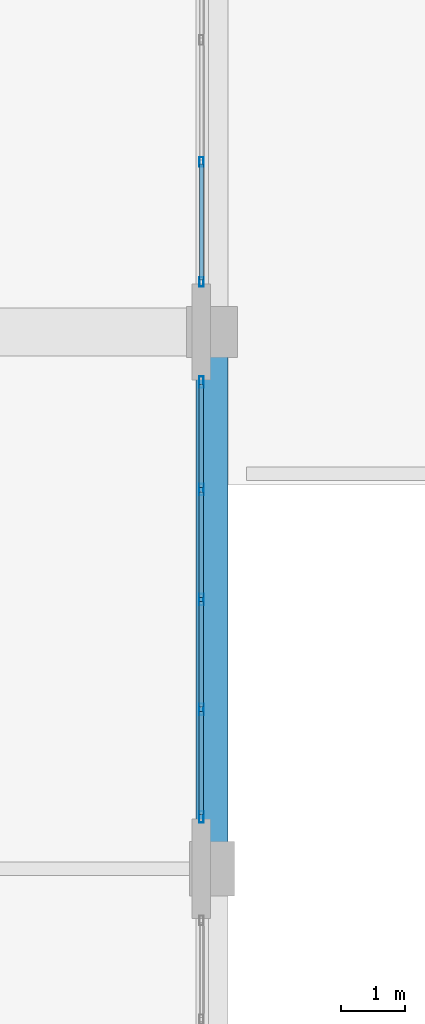
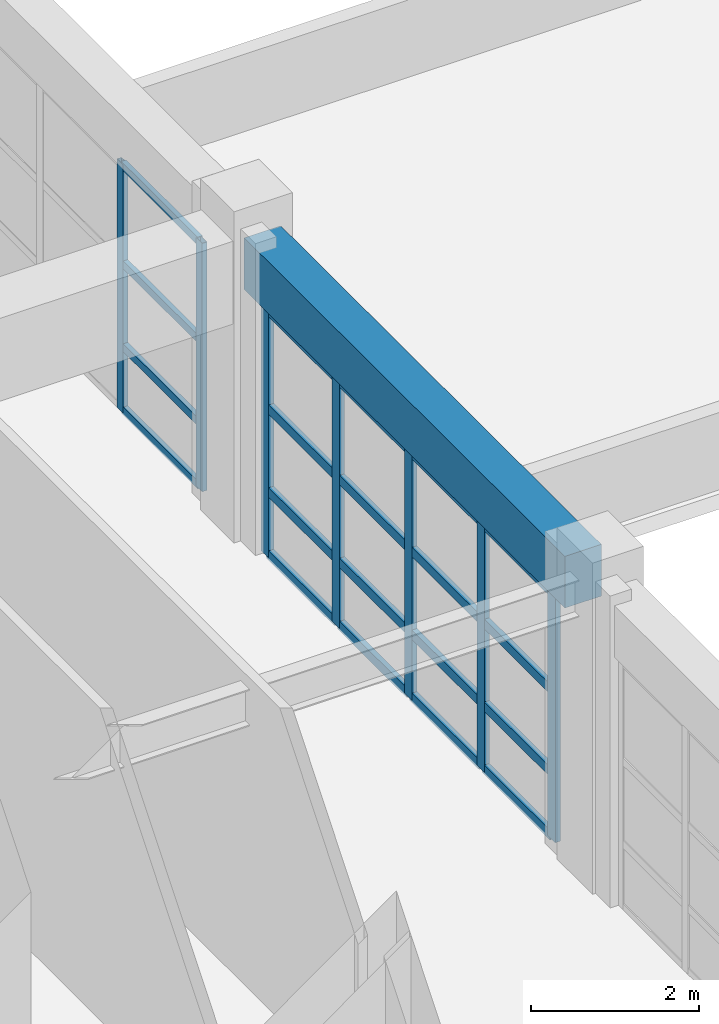
# One storey, part 27 of 123: 27 members, 1 beam, 2 elements without a shape of their own.
"""IFC4 building model written with IfcOpenShell, lengths in metres."""

from ifc_helpers import new_model, si_unit, direction, frame, origin, origin_2d, place, context, subcontext, project, spatial, rectangle, hollow_rectangle, extrude, material, layer, layer_set, material_profile, profile_set, type_object, element, aggregate, save


model = new_model("IFC4")

# Units and contexts
model_context = context("Model", 3, precision=1e-05, world=origin(), true_north=direction((0.0, 1.0)))
body_context = subcontext(model_context, "Body", "Model", "MODEL_VIEW")
ifc_project = project(units=[si_unit("LENGTHUNIT", "METRE"), si_unit("AREAUNIT", "SQUARE_METRE"), si_unit("VOLUMEUNIT", "CUBIC_METRE"), si_unit("PLANEANGLEUNIT", "RADIAN"), si_unit("MASSUNIT", "GRAM", prefix="KILO")], contexts=[model_context])

# Site, building, storey
site_placement = place(None, origin())
site = spatial("IfcSite", under=ifc_project, at=site_placement, CompositionType="ELEMENT")
building_placement = place(site_placement, origin())
building = spatial("IfcBuilding", under=site, at=building_placement, Name="Quendrovan Civic Courthouse", CompositionType="ELEMENT")
storey_placement = place(building_placement, frame((0.0, 0.0, 5.39990234375)))
storey = spatial("IfcBuildingStorey", under=building, at=storey_placement, Name="L02", CompositionType="ELEMENT", Elevation=5.39990234375)

# Beam
ifc_material_1 = material(Name="Concrete C40/50", Category="concrete")
ifc_material_profile_1 = material_profile(ifc_material_1, rectangle(XDim=0.5, YDim=0.75, at=origin_2d()), Name="RC-BM-500x750")
ifc_profile_set_1 = profile_set([ifc_material_profile_1], Name="Concrete C40/50")
beam_type = type_object("IfcBeamType", Name="BM-RC750", PredefinedType="SPANDREL", material=ifc_profile_set_1)
beam_placement = place(storey_placement, frame((16.800048828125, 65.205078125, 3.985107421875), z_axis=(0.0, 1.0, 0.0), x_axis=(-1.0, 0.0, 0.0)))
element("IfcBeam", 1, at=beam_placement, inside=storey, type_object=beam_type, Name="L02 Girder Y0630", PredefinedType="SPANDREL", context=body_context, shape_type="SweptSolid", body=[
    extrude(rectangle(XDim=0.5, YDim=0.75, at=origin_2d()), origin(), (0.0, 0.0, 1.0), 7.614990234375),
])

# Curtain wall, members
ifc_material_2 = material(Name="Bronze anodised aluminium and low-E glass", Category="aluminium")
ifc_layer_1 = layer(ifc_material_2, 0.179931640625, Name="Bronze anodised aluminium and low-E glass")
ifc_layer_set_1 = layer_set([ifc_layer_1], Name="Bronze anodised aluminium and low-E glass")
curtain_wall_type_1 = type_object("IfcCurtainWallType", Name="CW-U69x36", PredefinedType="USERDEFINED", material=ifc_layer_set_1)
curtain_wall_1_placement = place(storey_placement, origin())
curtain_wall_1 = element("IfcCurtainWall", 2, at=curtain_wall_1_placement, inside=storey, type_object=curtain_wall_type_1, Name="L02 Unitised Hurricane Curtain Wall CW-072", ObjectType="UNITISED CURTAIN WALL", PredefinedType="USERDEFINED")
ifc_material_3 = material(Name="Bronze anodised aluminium", Category="aluminium")
ifc_material_profile_2 = material_profile(ifc_material_3, hollow_rectangle(XDim=0.070068359375, YDim=0.179931640625, WallThickness=0.00390625, at=origin_2d()), Name="CW-MULL-70x180")
ifc_profile_set_2 = profile_set([ifc_material_profile_2], Name="Bronze anodised aluminium")
member_type_1 = type_object("IfcMemberType", Name="CW-MULL-A", PredefinedType="MULLION", material=ifc_profile_set_2)
member_1_placement = place(storey_placement, frame((16.635009765625, 72.4150390625, 0.0), z_axis=(0.0, 0.0, 1.0), x_axis=(1.0, 0.0, 0.0)))
member_1 = element("IfcMember", 3, at=member_1_placement, type_object=member_type_1, Name="CW-072 mullion 1", PredefinedType="MULLION", context=body_context, shape_type="SweptSolid", body=[
    extrude(hollow_rectangle(XDim=0.070068359375, YDim=0.179931640625, WallThickness=0.00390625, at=origin_2d()), origin(), (0.0, 0.0, 1.0), 3.60009765625),
])
member_2_placement = place(storey_placement, frame((16.635009765625, 70.731201171875, 0.0), z_axis=(0.0, 0.0, 1.0), x_axis=(1.0, 0.0, 0.0)))
member_2 = element("IfcMember", 4, at=member_2_placement, type_object=member_type_1, Name="CW-072 mullion 2", PredefinedType="MULLION", context=body_context, shape_type="SweptSolid", body=[
    extrude(hollow_rectangle(XDim=0.070068359375, YDim=0.179931640625, WallThickness=0.00390625, at=origin_2d()), origin(), (0.0, 0.0, 1.0), 3.60009765625),
])
member_3_placement = place(storey_placement, frame((16.635009765625, 69.012451171875, 0.0), z_axis=(0.0, 0.0, 1.0), x_axis=(1.0, 0.0, 0.0)))
member_3 = element("IfcMember", 5, at=member_3_placement, type_object=member_type_1, Name="CW-072 mullion 3", PredefinedType="MULLION", context=body_context, shape_type="SweptSolid", body=[
    extrude(hollow_rectangle(XDim=0.070068359375, YDim=0.179931640625, WallThickness=0.00390625, at=origin_2d()), origin(), (0.0, 0.0, 1.0), 3.60009765625),
])
member_4_placement = place(storey_placement, frame((16.635009765625, 67.293701171875, 0.0), z_axis=(0.0, 0.0, 1.0), x_axis=(1.0, 0.0, 0.0)))
member_4 = element("IfcMember", 6, at=member_4_placement, type_object=member_type_1, Name="CW-072 mullion 4", PredefinedType="MULLION", context=body_context, shape_type="SweptSolid", body=[
    extrude(hollow_rectangle(XDim=0.070068359375, YDim=0.179931640625, WallThickness=0.00390625, at=origin_2d()), origin(), (0.0, 0.0, 1.0), 3.60009765625),
])
member_5_placement = place(storey_placement, frame((16.635009765625, 65.610107421875, 0.0), z_axis=(0.0, 0.0, 1.0), x_axis=(1.0, 0.0, 0.0)))
member_5 = element("IfcMember", 7, at=member_5_placement, type_object=member_type_1, Name="CW-072 mullion 5", PredefinedType="MULLION", context=body_context, shape_type="SweptSolid", body=[
    extrude(hollow_rectangle(XDim=0.070068359375, YDim=0.179931640625, WallThickness=0.00390625, at=origin_2d()), origin(), (0.0, 0.0, 1.0), 3.60009765625),
])

ifc_layer_2 = layer(ifc_material_2, 0.179931640625, Name="Bronze anodised aluminium and low-E glass")
ifc_layer_set_2 = layer_set([ifc_layer_2], Name="Bronze anodised aluminium and low-E glass")
curtain_wall_type_2 = type_object("IfcCurtainWallType", Name="CW-U57x36", PredefinedType="USERDEFINED", material=ifc_layer_set_2)
curtain_wall_2_placement = place(storey_placement, origin())
curtain_wall_2 = element("IfcCurtainWall", 8, at=curtain_wall_2_placement, inside=storey, type_object=curtain_wall_type_2, Name="L02 Unitised Hurricane Curtain Wall CW-071", ObjectType="UNITISED CURTAIN WALL", PredefinedType="USERDEFINED")
ifc_material_profile_3 = material_profile(ifc_material_3, hollow_rectangle(XDim=0.06494140625, YDim=0.14990234375, WallThickness=0.00390625, at=origin_2d()), Name="CW-MULL-65x150")
ifc_profile_set_3 = profile_set([ifc_material_profile_3], Name="Bronze anodised aluminium")
member_type_2 = type_object("IfcMemberType", Name="CW-MULL-B", PredefinedType="MULLION", material=ifc_profile_set_3)
member_6_placement = place(storey_placement, frame((16.635009765625, 75.8583984375, 0.0), z_axis=(0.0, 0.0, 1.0), x_axis=(1.0, 0.0, 0.0)))
member_6 = element("IfcMember", 9, at=member_6_placement, type_object=member_type_2, Name="CW-071 mullion 3", PredefinedType="MULLION", context=body_context, shape_type="SweptSolid", body=[
    extrude(hollow_rectangle(XDim=0.06494140625, YDim=0.14990234375, WallThickness=0.00390625, at=origin_2d()), origin(), (0.0, 0.0, 1.0), 3.60009765625),
])
member_7_placement = place(storey_placement, frame((16.635009765625, 73.982421875, 0.0), z_axis=(0.0, 0.0, 1.0), x_axis=(1.0, 0.0, 0.0)))
member_7 = element("IfcMember", 10, at=member_7_placement, type_object=member_type_2, Name="CW-071 mullion 4", PredefinedType="MULLION", context=body_context, shape_type="SweptSolid", body=[
    extrude(hollow_rectangle(XDim=0.06494140625, YDim=0.14990234375, WallThickness=0.00390625, at=origin_2d()), origin(), (0.0, 0.0, 1.0), 3.60009765625),
])

# Member
ifc_material_profile_4 = material_profile(ifc_material_3, hollow_rectangle(XDim=0.070068359375, YDim=0.139892578125, WallThickness=0.00390625, at=origin_2d()), Name="CW-TRAN-70x140")
ifc_profile_set_4 = profile_set([ifc_material_profile_4], Name="Bronze anodised aluminium")
member_type_3 = type_object("IfcMemberType", Name="CW-TRAN-A", PredefinedType="USERDEFINED", material=ifc_profile_set_4)
member_8_placement = place(storey_placement, frame((16.635009765625, 72.3798828125, 0.03515625), z_axis=(0.0, -1.0, 0.0), x_axis=(1.0, 0.0, 0.0)))
member_8 = element("IfcMember", 11, at=member_8_placement, type_object=member_type_3, Name="CW-072 transom 1.1", ObjectType="TRANSOM", PredefinedType="USERDEFINED", context=body_context, shape_type="SweptSolid", body=[
    extrude(hollow_rectangle(XDim=0.070068359375, YDim=0.139892578125, WallThickness=0.00390625, at=origin_2d()), origin(), (0.0, 0.0, 1.0), 1.613525390625),
])

member_9_placement = place(storey_placement, frame((16.635009765625, 72.3798828125, 0.9501953125), z_axis=(0.0, -1.0, 0.0), x_axis=(1.0, 0.0, 0.0)))
member_9 = element("IfcMember", 12, at=member_9_placement, type_object=member_type_3, Name="CW-072 transom 1.2", ObjectType="TRANSOM", PredefinedType="USERDEFINED", context=body_context, shape_type="SweptSolid", body=[
    extrude(hollow_rectangle(XDim=0.070068359375, YDim=0.139892578125, WallThickness=0.00390625, at=origin_2d()), origin(), (0.0, 0.0, 1.0), 1.613525390625),
])

member_10_placement = place(storey_placement, frame((16.635009765625, 72.3798828125, 2.150146484375), z_axis=(0.0, -1.0, 0.0), x_axis=(1.0, 0.0, 0.0)))
member_10 = element("IfcMember", 13, at=member_10_placement, type_object=member_type_3, Name="CW-072 transom 1.3", ObjectType="TRANSOM", PredefinedType="USERDEFINED", context=body_context, shape_type="SweptSolid", body=[
    extrude(hollow_rectangle(XDim=0.070068359375, YDim=0.139892578125, WallThickness=0.00390625, at=origin_2d()), origin(), (0.0, 0.0, 1.0), 1.613525390625),
])

member_11_placement = place(storey_placement, frame((16.635009765625, 72.3798828125, 3.565185546875), z_axis=(0.0, -1.0, 0.0), x_axis=(1.0, 0.0, 0.0)))
member_11 = element("IfcMember", 14, at=member_11_placement, type_object=member_type_3, Name="CW-072 transom 1.4", ObjectType="TRANSOM", PredefinedType="USERDEFINED", context=body_context, shape_type="SweptSolid", body=[
    extrude(hollow_rectangle(XDim=0.070068359375, YDim=0.139892578125, WallThickness=0.00390625, at=origin_2d()), origin(), (0.0, 0.0, 1.0), 1.613525390625),
])

member_12_placement = place(storey_placement, frame((16.635009765625, 70.6962890625, 0.03515625), z_axis=(0.0, -1.0, 0.0), x_axis=(1.0, 0.0, 0.0)))
member_12 = element("IfcMember", 15, at=member_12_placement, type_object=member_type_3, Name="CW-072 transom 2.1", ObjectType="TRANSOM", PredefinedType="USERDEFINED", context=body_context, shape_type="SweptSolid", body=[
    extrude(hollow_rectangle(XDim=0.070068359375, YDim=0.139892578125, WallThickness=0.00390625, at=origin_2d()), origin(), (0.0, 0.0, 1.0), 1.648681640625),
])

member_13_placement = place(storey_placement, frame((16.635009765625, 70.6962890625, 0.9501953125), z_axis=(0.0, -1.0, 0.0), x_axis=(1.0, 0.0, 0.0)))
member_13 = element("IfcMember", 16, at=member_13_placement, type_object=member_type_3, Name="CW-072 transom 2.2", ObjectType="TRANSOM", PredefinedType="USERDEFINED", context=body_context, shape_type="SweptSolid", body=[
    extrude(hollow_rectangle(XDim=0.070068359375, YDim=0.139892578125, WallThickness=0.00390625, at=origin_2d()), origin(), (0.0, 0.0, 1.0), 1.648681640625),
])

member_14_placement = place(storey_placement, frame((16.635009765625, 70.6962890625, 2.150146484375), z_axis=(0.0, -1.0, 0.0), x_axis=(1.0, 0.0, 0.0)))
member_14 = element("IfcMember", 17, at=member_14_placement, type_object=member_type_3, Name="CW-072 transom 2.3", ObjectType="TRANSOM", PredefinedType="USERDEFINED", context=body_context, shape_type="SweptSolid", body=[
    extrude(hollow_rectangle(XDim=0.070068359375, YDim=0.139892578125, WallThickness=0.00390625, at=origin_2d()), origin(), (0.0, 0.0, 1.0), 1.648681640625),
])

member_15_placement = place(storey_placement, frame((16.635009765625, 70.6962890625, 3.565185546875), z_axis=(0.0, -1.0, 0.0), x_axis=(1.0, 0.0, 0.0)))
member_15 = element("IfcMember", 18, at=member_15_placement, type_object=member_type_3, Name="CW-072 transom 2.4", ObjectType="TRANSOM", PredefinedType="USERDEFINED", context=body_context, shape_type="SweptSolid", body=[
    extrude(hollow_rectangle(XDim=0.070068359375, YDim=0.139892578125, WallThickness=0.00390625, at=origin_2d()), origin(), (0.0, 0.0, 1.0), 1.648681640625),
])

member_16_placement = place(storey_placement, frame((16.635009765625, 68.9775390625, 0.03515625), z_axis=(0.0, -1.0, 0.0), x_axis=(1.0, 0.0, 0.0)))
member_16 = element("IfcMember", 19, at=member_16_placement, type_object=member_type_3, Name="CW-072 transom 3.1", ObjectType="TRANSOM", PredefinedType="USERDEFINED", context=body_context, shape_type="SweptSolid", body=[
    extrude(hollow_rectangle(XDim=0.070068359375, YDim=0.139892578125, WallThickness=0.00390625, at=origin_2d()), origin(), (0.0, 0.0, 1.0), 1.648681640625),
])

member_17_placement = place(storey_placement, frame((16.635009765625, 68.9775390625, 0.9501953125), z_axis=(0.0, -1.0, 0.0), x_axis=(1.0, 0.0, 0.0)))
member_17 = element("IfcMember", 20, at=member_17_placement, type_object=member_type_3, Name="CW-072 transom 3.2", ObjectType="TRANSOM", PredefinedType="USERDEFINED", context=body_context, shape_type="SweptSolid", body=[
    extrude(hollow_rectangle(XDim=0.070068359375, YDim=0.139892578125, WallThickness=0.00390625, at=origin_2d()), origin(), (0.0, 0.0, 1.0), 1.648681640625),
])

member_18_placement = place(storey_placement, frame((16.635009765625, 68.9775390625, 2.150146484375), z_axis=(0.0, -1.0, 0.0), x_axis=(1.0, 0.0, 0.0)))
member_18 = element("IfcMember", 21, at=member_18_placement, type_object=member_type_3, Name="CW-072 transom 3.3", ObjectType="TRANSOM", PredefinedType="USERDEFINED", context=body_context, shape_type="SweptSolid", body=[
    extrude(hollow_rectangle(XDim=0.070068359375, YDim=0.139892578125, WallThickness=0.00390625, at=origin_2d()), origin(), (0.0, 0.0, 1.0), 1.648681640625),
])

member_19_placement = place(storey_placement, frame((16.635009765625, 68.9775390625, 3.565185546875), z_axis=(0.0, -1.0, 0.0), x_axis=(1.0, 0.0, 0.0)))
member_19 = element("IfcMember", 22, at=member_19_placement, type_object=member_type_3, Name="CW-072 transom 3.4", ObjectType="TRANSOM", PredefinedType="USERDEFINED", context=body_context, shape_type="SweptSolid", body=[
    extrude(hollow_rectangle(XDim=0.070068359375, YDim=0.139892578125, WallThickness=0.00390625, at=origin_2d()), origin(), (0.0, 0.0, 1.0), 1.648681640625),
])

member_20_placement = place(storey_placement, frame((16.635009765625, 67.2587890625, 0.03515625), z_axis=(0.0, -1.0, 0.0), x_axis=(1.0, 0.0, 0.0)))
member_20 = element("IfcMember", 23, at=member_20_placement, type_object=member_type_3, Name="CW-072 transom 4.1", ObjectType="TRANSOM", PredefinedType="USERDEFINED", context=body_context, shape_type="SweptSolid", body=[
    extrude(hollow_rectangle(XDim=0.070068359375, YDim=0.139892578125, WallThickness=0.00390625, at=origin_2d()), origin(), (0.0, 0.0, 1.0), 1.61376953125),
])

member_21_placement = place(storey_placement, frame((16.635009765625, 67.2587890625, 0.9501953125), z_axis=(0.0, -1.0, 0.0), x_axis=(1.0, 0.0, 0.0)))
member_21 = element("IfcMember", 24, at=member_21_placement, type_object=member_type_3, Name="CW-072 transom 4.2", ObjectType="TRANSOM", PredefinedType="USERDEFINED", context=body_context, shape_type="SweptSolid", body=[
    extrude(hollow_rectangle(XDim=0.070068359375, YDim=0.139892578125, WallThickness=0.00390625, at=origin_2d()), origin(), (0.0, 0.0, 1.0), 1.61376953125),
])

member_22_placement = place(storey_placement, frame((16.635009765625, 67.2587890625, 2.150146484375), z_axis=(0.0, -1.0, 0.0), x_axis=(1.0, 0.0, 0.0)))
member_22 = element("IfcMember", 25, at=member_22_placement, type_object=member_type_3, Name="CW-072 transom 4.3", ObjectType="TRANSOM", PredefinedType="USERDEFINED", context=body_context, shape_type="SweptSolid", body=[
    extrude(hollow_rectangle(XDim=0.070068359375, YDim=0.139892578125, WallThickness=0.00390625, at=origin_2d()), origin(), (0.0, 0.0, 1.0), 1.61376953125),
])

member_23_placement = place(storey_placement, frame((16.635009765625, 67.2587890625, 3.565185546875), z_axis=(0.0, -1.0, 0.0), x_axis=(1.0, 0.0, 0.0)))
member_23 = element("IfcMember", 26, at=member_23_placement, type_object=member_type_3, Name="CW-072 transom 4.4", ObjectType="TRANSOM", PredefinedType="USERDEFINED", context=body_context, shape_type="SweptSolid", body=[
    extrude(hollow_rectangle(XDim=0.070068359375, YDim=0.139892578125, WallThickness=0.00390625, at=origin_2d()), origin(), (0.0, 0.0, 1.0), 1.61376953125),
])

aggregate(curtain_wall_1, [member_1, member_2, member_3, member_4, member_5, member_8, member_9, member_10, member_11, member_12, member_13, member_14, member_15, member_16, member_17, member_18, member_19, member_20, member_21, member_22, member_23])

ifc_material_profile_5 = material_profile(ifc_material_3, hollow_rectangle(XDim=0.06494140625, YDim=0.114990234375, WallThickness=0.00390625, at=origin_2d()), Name="CW-TRAN-65x115")
ifc_profile_set_5 = profile_set([ifc_material_profile_5], Name="Bronze anodised aluminium")
member_type_4 = type_object("IfcMemberType", Name="CW-TRAN-B", PredefinedType="USERDEFINED", material=ifc_profile_set_5)
member_24_placement = place(storey_placement, frame((16.635009765625, 75.825927734375, 0.03271484375), z_axis=(0.0, -1.0, 0.0), x_axis=(1.0, 0.0, 0.0)))
member_24 = element("IfcMember", 27, at=member_24_placement, type_object=member_type_4, Name="CW-071 transom 3.1", ObjectType="TRANSOM", PredefinedType="USERDEFINED", context=body_context, shape_type="SweptSolid", body=[
    extrude(hollow_rectangle(XDim=0.06494140625, YDim=0.114990234375, WallThickness=0.00390625, at=origin_2d()), origin(), (0.0, 0.0, 1.0), 1.81103515625),
])

member_25_placement = place(storey_placement, frame((16.635009765625, 75.825927734375, 0.9501953125), z_axis=(0.0, -1.0, 0.0), x_axis=(1.0, 0.0, 0.0)))
member_25 = element("IfcMember", 28, at=member_25_placement, type_object=member_type_4, Name="CW-071 transom 3.2", ObjectType="TRANSOM", PredefinedType="USERDEFINED", context=body_context, shape_type="SweptSolid", body=[
    extrude(hollow_rectangle(XDim=0.06494140625, YDim=0.114990234375, WallThickness=0.00390625, at=origin_2d()), origin(), (0.0, 0.0, 1.0), 1.81103515625),
])

member_26_placement = place(storey_placement, frame((16.635009765625, 75.825927734375, 2.150146484375), z_axis=(0.0, -1.0, 0.0), x_axis=(1.0, 0.0, 0.0)))
member_26 = element("IfcMember", 29, at=member_26_placement, type_object=member_type_4, Name="CW-071 transom 3.3", ObjectType="TRANSOM", PredefinedType="USERDEFINED", context=body_context, shape_type="SweptSolid", body=[
    extrude(hollow_rectangle(XDim=0.06494140625, YDim=0.114990234375, WallThickness=0.00390625, at=origin_2d()), origin(), (0.0, 0.0, 1.0), 1.81103515625),
])

member_27_placement = place(storey_placement, frame((16.635009765625, 75.825927734375, 3.567626953125), z_axis=(0.0, -1.0, 0.0), x_axis=(1.0, 0.0, 0.0)))
member_27 = element("IfcMember", 30, at=member_27_placement, type_object=member_type_4, Name="CW-071 transom 3.4", ObjectType="TRANSOM", PredefinedType="USERDEFINED", context=body_context, shape_type="SweptSolid", body=[
    extrude(hollow_rectangle(XDim=0.06494140625, YDim=0.114990234375, WallThickness=0.00390625, at=origin_2d()), origin(), (0.0, 0.0, 1.0), 1.81103515625),
])

aggregate(curtain_wall_2, [member_6, member_7, member_24, member_25, member_26, member_27])

save(model, "model.ifc")
